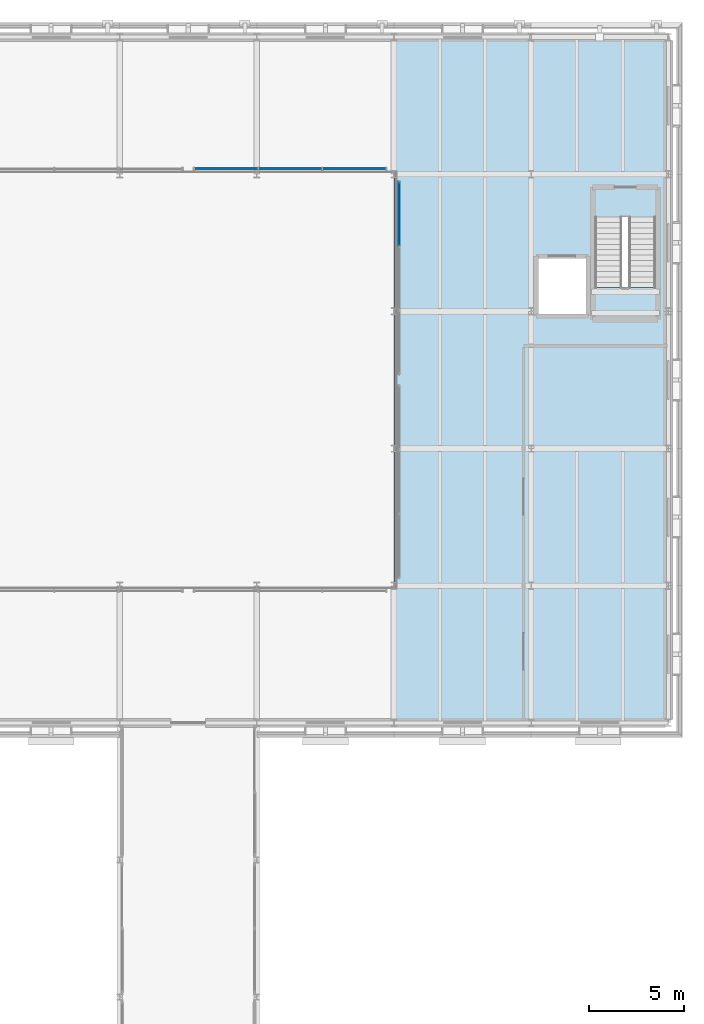
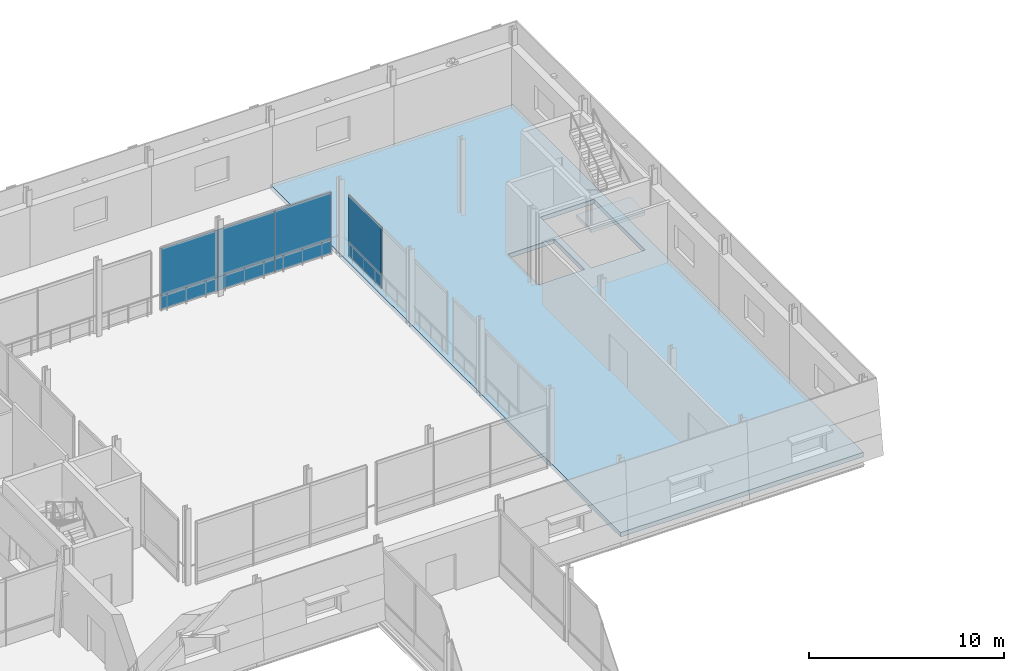
# One storey, part 68 of 121: 8 plates, 2 slabs, 3 elements without a shape of their own.
"""IFC4 building model written with IfcOpenShell, lengths in metres."""

from ifc_helpers import new_model, si_unit, direction, frame, origin, origin_2d, place, context, subcontext, project, spatial, polyline, rectangle, outline, extrude, material, layer, layer_set, type_object, element, aggregate, save


model = new_model("IFC4")

# Units and contexts
model_context = context("Model", 3, precision=1e-05, world=origin(), true_north=direction((0.0, 1.0)))
body_context = subcontext(model_context, "Body", "Model", "MODEL_VIEW")
ifc_project = project(units=[si_unit("LENGTHUNIT", "METRE"), si_unit("AREAUNIT", "SQUARE_METRE"), si_unit("VOLUMEUNIT", "CUBIC_METRE"), si_unit("PLANEANGLEUNIT", "RADIAN"), si_unit("MASSUNIT", "GRAM", prefix="KILO")], contexts=[model_context])

# Site, building, storey
site_placement = place(None, origin())
site = spatial("IfcSite", under=ifc_project, at=site_placement, CompositionType="ELEMENT")
building_placement = place(site_placement, origin())
building = spatial("IfcBuilding", under=site, at=building_placement, Name="Narikvali Park Central Library", CompositionType="ELEMENT")
storey_placement = place(building_placement, frame((0.0, 0.0, 5.39990234375)))
storey = spatial("IfcBuildingStorey", under=building, at=storey_placement, Name="L01", CompositionType="ELEMENT", Elevation=5.39990234375)

# Slab
ifc_material_1 = material(Name="Concrete C35/45", Category="concrete")
ifc_layer_1 = layer(ifc_material_1, 0.280029296875, Name="Concrete C35/45")
ifc_layer_set_1 = layer_set([ifc_layer_1], Name="Concrete C35/45")
slab_type_1 = type_object("IfcSlabType", Name="Composite Reading Floor Slab 280", PredefinedType="FLOOR", material=ifc_layer_set_1)
slab_1_placement = place(storey_placement, frame((0.0, 0.0, -0.27978515625)))
element("IfcSlab", 1, at=slab_1_placement, inside=storey, type_object=slab_type_1, Name="V3 L01 Structural Slab Panel 2", PredefinedType="FLOOR", context=body_context, shape_type="SweptSolid", body=[
    extrude(outline(polyline([(151.199951171875, 79.199951171875), (165.60009765625, 79.199951171875), (165.60009765625, 115.199951171875), (151.199951171875, 115.199951171875), (151.199951171875, 79.199951171875)]), holes=[polyline([(161.75, 100.5), (164.949951171875, 100.5), (164.949951171875, 105.75), (161.75, 105.75), (161.75, 100.5)]), polyline([(158.64990234375, 100.550048828125), (161.39990234375, 100.550048828125), (161.39990234375, 103.699951171875), (158.64990234375, 103.699951171875), (158.64990234375, 100.550048828125)])]), origin(), (0.0, 0.0, 1.0), 0.27978515625),
])

# Curtain wall, plate
ifc_material_2 = material(Name="Anodised Bronze Aluminium", Category="aluminium")
ifc_layer_2 = layer(ifc_material_2, 0.219970703125, Name="Anodised Bronze Aluminium")
ifc_layer_set_2 = layer_set([ifc_layer_2], Name="Anodised Bronze Aluminium")
curtain_wall_type = type_object("IfcCurtainWallType", Name="Atrium Tall Curtain Wall System", PredefinedType="NOTDEFINED", material=ifc_layer_set_2)
curtain_wall_1_placement = place(storey_placement, origin())
curtain_wall_1 = element("IfcCurtainWall", 2, at=curtain_wall_1_placement, inside=storey, type_object=curtain_wall_type, Name="Atrium Tall Curtain Wall System CW-INT-V3-L01-E2", PredefinedType="NOTDEFINED")
ifc_material_3 = material(Name="Heavy Acoustic Laminated Clerestory Glazing", Category="glass")
ifc_layer_3 = layer(ifc_material_3, 0.06396484375, Name="Heavy Acoustic Laminated Clerestory Glazing")
ifc_layer_set_3 = layer_set([ifc_layer_3], Name="Heavy Acoustic Laminated Clerestory Glazing")
plate_type_1 = type_object("IfcPlateType", Name="Curtain Wall Clerestory Laminated Acoustic Glass 64", PredefinedType="CURTAIN_PANEL", material=ifc_layer_set_3)
plate_1_placement = place(storey_placement, frame((151.47998046875, 105.916748046875, 0.905029296875), z_axis=(0.0, 0.0, 1.0), x_axis=(0.0, 1.0, 0.0)))
plate_1 = element("IfcPlate", 3, at=plate_1_placement, type_object=plate_type_1, Name="CW-INT-V3-L01-E2 Panel 02-1", PredefinedType="CURTAIN_PANEL", context=body_context, shape_type="SweptSolid", body=[
    extrude(rectangle(XDim=3.356689453125, YDim=0.06396484375, at=origin_2d()), origin(), (0.0, 0.0, 1.0), 2.9599609375),
])

# Curtain wall, plates
curtain_wall_2_placement = place(storey_placement, origin())
curtain_wall_2 = element("IfcCurtainWall", 4, at=curtain_wall_2_placement, inside=storey, type_object=curtain_wall_type, Name="Atrium Tall Curtain Wall System CW-INT-V3-L01-N2", PredefinedType="NOTDEFINED")
ifc_material_4 = material(Name="Double Low-E Tempered Vision Glazing", Category="glass")
ifc_layer_4 = layer(ifc_material_4, 0.035888671875, Name="Double Low-E Tempered Vision Glazing")
ifc_layer_set_4 = layer_set([ifc_layer_4], Name="Double Low-E Tempered Vision Glazing")
plate_type_2 = type_object("IfcPlateType", Name="Curtain Wall Double Low-E Vision Glazing 36", PredefinedType="CURTAIN_PANEL", material=ifc_layer_set_4)
plate_2_placement = place(storey_placement, frame((142.38330078125, 108.280029296875, 0.03515625), z_axis=(0.0, 0.0, 1.0), x_axis=(1.0, 0.0, 0.0)))
plate_2 = element("IfcPlate", 5, at=plate_2_placement, type_object=plate_type_2, Name="CW-INT-V3-L01-N2 Panel 00-0", PredefinedType="CURTAIN_PANEL", context=body_context, shape_type="SweptSolid", body=[
    extrude(rectangle(XDim=3.356689453125, YDim=0.035888671875, at=origin_2d()), origin(), (0.0, 0.0, 1.0), 0.860107421875),
])
plate_3_placement = place(storey_placement, frame((145.75, 108.280029296875, 0.03515625), z_axis=(0.0, 0.0, 1.0), x_axis=(1.0, 0.0, 0.0)))
plate_3 = element("IfcPlate", 6, at=plate_3_placement, type_object=plate_type_2, Name="CW-INT-V3-L01-N2 Panel 01-0", PredefinedType="CURTAIN_PANEL", context=body_context, shape_type="SweptSolid", body=[
    extrude(rectangle(XDim=3.356689453125, YDim=0.035888671875, at=origin_2d()), origin(), (0.0, 0.0, 1.0), 0.860107421875),
])
plate_4_placement = place(storey_placement, frame((149.11669921875, 108.280029296875, 0.03515625), z_axis=(0.0, 0.0, 1.0), x_axis=(1.0, 0.0, 0.0)))
plate_4 = element("IfcPlate", 7, at=plate_4_placement, type_object=plate_type_2, Name="CW-INT-V3-L01-N2 Panel 02-0", PredefinedType="CURTAIN_PANEL", context=body_context, shape_type="SweptSolid", body=[
    extrude(rectangle(XDim=3.356689453125, YDim=0.035888671875, at=origin_2d()), origin(), (0.0, 0.0, 1.0), 0.860107421875),
])

# Plate
ifc_material_5 = material(Name="Triple Low-E Acoustic Laminated Glazing", Category="glass")
ifc_layer_5 = layer(ifc_material_5, 0.048095703125, Name="Triple Low-E Acoustic Laminated Glazing")
ifc_layer_set_5 = layer_set([ifc_layer_5], Name="Triple Low-E Acoustic Laminated Glazing")
plate_type_3 = type_object("IfcPlateType", Name="Curtain Wall Triple Solar-Acoustic Glazing 48", PredefinedType="CURTAIN_PANEL", material=ifc_layer_set_5)
plate_5_placement = place(storey_placement, frame((151.47998046875, 105.916748046875, 0.03515625), z_axis=(0.0, 0.0, 1.0), x_axis=(0.0, 1.0, 0.0)))
plate_5 = element("IfcPlate", 8, at=plate_5_placement, type_object=plate_type_3, Name="CW-INT-V3-L01-E2 Panel 02-0", PredefinedType="CURTAIN_PANEL", context=body_context, shape_type="SweptSolid", body=[
    extrude(rectangle(XDim=3.356689453125, YDim=0.048095703125, at=origin_2d()), origin(), (0.0, 0.0, 1.0), 0.860107421875),
])

aggregate(curtain_wall_1, [plate_5, plate_1])

plate_6_placement = place(storey_placement, frame((142.38330078125, 108.280029296875, 0.905029296875), z_axis=(0.0, 0.0, 1.0), x_axis=(1.0, 0.0, 0.0)))
plate_6 = element("IfcPlate", 9, at=plate_6_placement, type_object=plate_type_3, Name="CW-INT-V3-L01-N2 Panel 00-1", PredefinedType="CURTAIN_PANEL", context=body_context, shape_type="SweptSolid", body=[
    extrude(rectangle(XDim=3.356689453125, YDim=0.048095703125, at=origin_2d()), origin(), (0.0, 0.0, 1.0), 2.9599609375),
])

plate_7_placement = place(storey_placement, frame((145.75, 108.280029296875, 0.905029296875), z_axis=(0.0, 0.0, 1.0), x_axis=(1.0, 0.0, 0.0)))
plate_7 = element("IfcPlate", 10, at=plate_7_placement, type_object=plate_type_3, Name="CW-INT-V3-L01-N2 Panel 01-1", PredefinedType="CURTAIN_PANEL", context=body_context, shape_type="SweptSolid", body=[
    extrude(rectangle(XDim=3.356689453125, YDim=0.048095703125, at=origin_2d()), origin(), (0.0, 0.0, 1.0), 2.9599609375),
])

plate_8_placement = place(storey_placement, frame((149.11669921875, 108.280029296875, 0.905029296875), z_axis=(0.0, 0.0, 1.0), x_axis=(1.0, 0.0, 0.0)))
plate_8 = element("IfcPlate", 11, at=plate_8_placement, type_object=plate_type_3, Name="CW-INT-V3-L01-N2 Panel 02-1", PredefinedType="CURTAIN_PANEL", context=body_context, shape_type="SweptSolid", body=[
    extrude(rectangle(XDim=3.356689453125, YDim=0.048095703125, at=origin_2d()), origin(), (0.0, 0.0, 1.0), 2.9599609375),
])

aggregate(curtain_wall_2, [plate_2, plate_6, plate_3, plate_7, plate_4, plate_8])

# Stair, slab
stair_type = type_object("IfcStairType", Name="Core Enclosed Two-Flight Exit Stair", PredefinedType="HALF_TURN_STAIR", material=ifc_material_1)
stair_placement = place(storey_placement, origin())
stair = element("IfcStair", 12, at=stair_placement, inside=storey, type_object=stair_type, Name="L01 Exit Stair ST-06", PredefinedType="HALF_TURN_STAIR")
ifc_layer_6 = layer(ifc_material_1, 0.199951171875, Name="Concrete C35/45")
ifc_layer_set_6 = layer_set([ifc_layer_6], Name="Concrete C35/45")
slab_type_2 = type_object("IfcSlabType", Name="Stair Half-Landing Concrete Slab 200", PredefinedType="LANDING", material=ifc_layer_set_6)
slab_2_placement = place(storey_placement, frame((0.0, 0.0, 2.2001953125)))
slab_2 = element("IfcSlab", 13, at=slab_2_placement, type_object=slab_type_2, Name="ST-06 landing 1", PredefinedType="LANDING", context=body_context, shape_type="SweptSolid", body=[
    extrude(outline(polyline([(161.75, 102.044921875), (161.75, 100.5), (164.949951171875, 100.5), (164.949951171875, 102.044921875), (161.75, 102.044921875)])), origin(), (0.0, 0.0, 1.0), 0.199951171875),
])
aggregate(stair, [slab_2])

save(model, "model.ifc")
